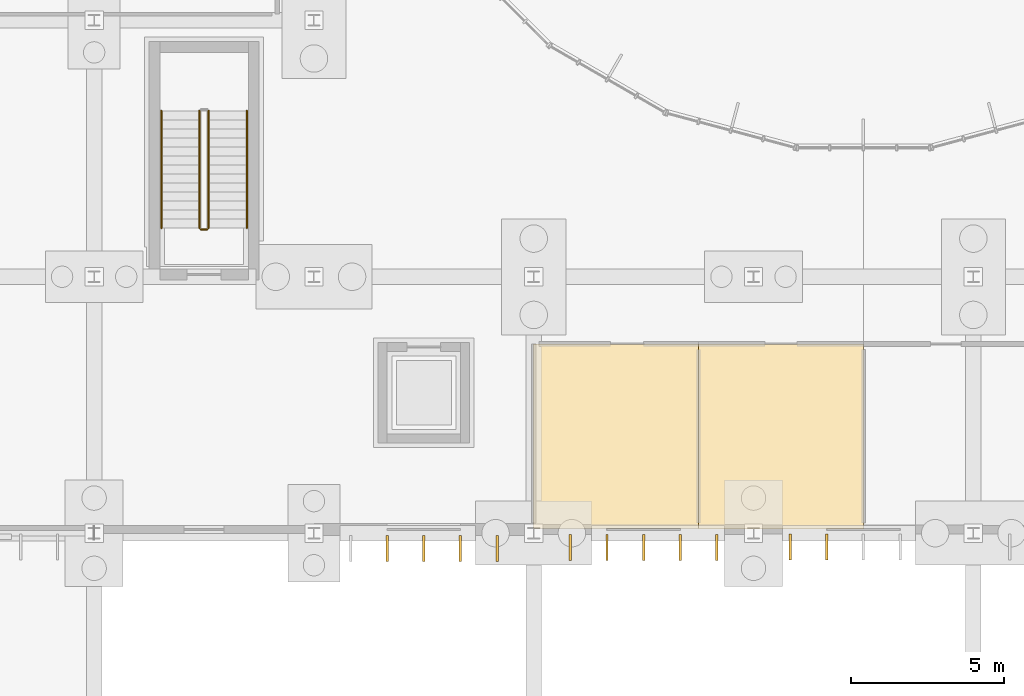
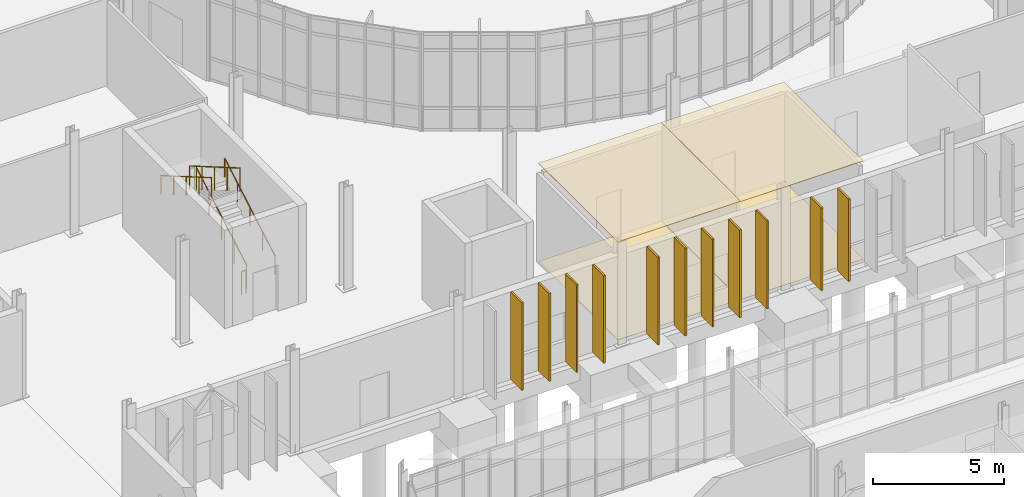
# One storey, part 105 of 118: 11 shading devices, 5 railings, 4 coverings.
"""IFC4 building model written with IfcOpenShell, lengths in metres."""

from ifc_helpers import new_model, si_unit, direction, frame, origin, origin_2d, place, context, subcontext, project, spatial, polyline, rectangle, circle, outline, extrude, material, layer, layer_set, type_object, element, save


model = new_model("IFC4")

# Units and contexts
model_context = context("Model", 3, precision=1e-05, world=origin(), true_north=direction((0.0, 1.0)))
body_context = subcontext(model_context, "Body", "Model", "MODEL_VIEW")
ifc_project = project(units=[si_unit("LENGTHUNIT", "METRE"), si_unit("AREAUNIT", "SQUARE_METRE"), si_unit("VOLUMEUNIT", "CUBIC_METRE"), si_unit("PLANEANGLEUNIT", "RADIAN"), si_unit("MASSUNIT", "GRAM", prefix="KILO")], contexts=[model_context])

# Site, building, storey
site_placement = place(None, origin())
site = spatial("IfcSite", under=ifc_project, at=site_placement, CompositionType="ELEMENT")
building_placement = place(site_placement, origin())
building = spatial("IfcBuilding", under=site, at=building_placement, Name="Qelthora Terrace Specialist Clinic", CompositionType="ELEMENT")
storey_placement = place(building_placement, origin())
storey = spatial("IfcBuildingStorey", under=building, at=storey_placement, Name="L00", CompositionType="ELEMENT", Elevation=0.0)

# Coverings
ifc_material_1 = material(Name="Hygienic mineral-fibre acoustic ceiling", Category="gypsum")
ifc_layer_1 = layer(ifc_material_1, 0.02490234375)
ifc_layer_set_1 = layer_set([ifc_layer_1], Name="Hygienic mineral-fibre acoustic ceiling")
covering_type_1 = type_object("IfcCoveringType", Name="COV-CEIL-ACU-25", PredefinedType="CEILING", material=ifc_layer_set_1)
covering_1_placement = place(storey_placement, frame((0.0, 0.0, 4.554931640625)))
element("IfcCovering", 1, at=covering_1_placement, inside=storey, type_object=covering_type_1, Name="Internal Medicine Consulting L00-31 acoustic ceiling", PredefinedType="CEILING", context=body_context, shape_type="SweptSolid", body=[
    extrude(outline(polyline([(115.199951171875, 33.75), (115.199951171875, 39.800048828125), (120.60009765625, 39.800048828125), (120.60009765625, 33.75), (115.199951171875, 33.75)])), origin(), (0.0, 0.0, 1.0), 0.025146484375),
])
covering_2_placement = place(storey_placement, frame((0.0, 0.0, 4.554931640625)))
element("IfcCovering", 2, at=covering_2_placement, inside=storey, type_object=covering_type_1, Name="Cardiology Examination Room L00-33 acoustic ceiling", PredefinedType="CEILING", context=body_context, shape_type="SweptSolid", body=[
    extrude(outline(polyline([(120.60498046875, 39.800048828125), (126.0, 39.800048828125), (126.0, 33.72998046875), (120.60498046875, 33.72998046875), (120.60498046875, 39.800048828125)])), origin(), (0.0, 0.0, 1.0), 0.025146484375),
])
ifc_material_2 = material(Name="Antimicrobial clinical linoleum flooring", Category="other")
ifc_layer_2 = layer(ifc_material_2, 0.011962890625)
ifc_layer_set_2 = layer_set([ifc_layer_2], Name="Antimicrobial clinical linoleum flooring")
covering_type_2 = type_object("IfcCoveringType", Name="COV-FLR-LINO-12", PredefinedType="FLOORING", material=ifc_layer_set_2)
covering_3_placement = place(storey_placement, origin())
element("IfcCovering", 3, at=covering_3_placement, inside=storey, type_object=covering_type_2, Name="Internal Medicine Consulting L00-31 resilient linoleum flooring", PredefinedType="FLOORING", context=body_context, shape_type="SweptSolid", body=[
    extrude(outline(polyline([(115.199951171875, 33.75), (115.199951171875, 39.800048828125), (120.60009765625, 39.800048828125), (120.60009765625, 33.75), (115.199951171875, 33.75)])), origin(), (0.0, 0.0, 1.0), 0.011962890625),
])
covering_4_placement = place(storey_placement, origin())
element("IfcCovering", 4, at=covering_4_placement, inside=storey, type_object=covering_type_2, Name="Cardiology Examination Room L00-33 resilient linoleum flooring", PredefinedType="FLOORING", context=body_context, shape_type="SweptSolid", body=[
    extrude(outline(polyline([(120.60498046875, 39.800048828125), (126.0, 39.800048828125), (126.0, 33.72998046875), (120.60498046875, 33.72998046875), (120.60498046875, 39.800048828125)])), origin(), (0.0, 0.0, 1.0), 0.011962890625),
])

# Railings
ifc_material_3 = material(Name="Steel S355", Category="steel")
railing_type_1 = type_object("IfcRailingType", Name="RAL-GD-1100-S355", PredefinedType="GUARDRAIL", material=ifc_material_3)
railing_1_placement = place(storey_placement, frame((104.550048828125, 43.60009765625, 0.17138671875)))
element("IfcRailing", 5, at=railing_1_placement, inside=storey, type_object=railing_type_1, Name="L00 ST-05 stair guard 1", PredefinedType="GUARDRAIL", context=body_context, shape_type="SweptSolid", body=[
    extrude(circle(Radius=0.02392578125, at=origin_2d()), frame((0.0, 0.0, 1.076171875), z_axis=(0.0, 0.86461618451, 0.502432934314), x_axis=(-1.0, 0.0, 0.0)), (0.0, 0.0, 1.0), 4.435546875),
    extrude(circle(Radius=0.02099609375, at=origin_2d()), origin(), (0.0, 0.0, 1.0), 1.052001953125),
    extrude(circle(Radius=0.02099609375, at=origin_2d()), frame((0.0, 0.958740234375, 0.55712890625)), (0.0, 0.0, 1.0), 1.052001953125),
    extrude(circle(Radius=0.02099609375, at=origin_2d()), frame((0.0, 1.91748046875, 1.1142578125)), (0.0, 0.0, 1.0), 1.052001953125),
    extrude(circle(Radius=0.02099609375, at=origin_2d()), frame((0.0, 2.876220703125, 1.67138671875)), (0.0, 0.0, 1.0), 1.052001953125),
    extrude(circle(Radius=0.02099609375, at=origin_2d()), frame((0.0, 3.8349609375, 2.228515625)), (0.0, 0.0, 1.0), 1.052001953125),
])
railing_2_placement = place(storey_placement, frame((104.25, 47.43505859375, 2.571533203125)))
element("IfcRailing", 6, at=railing_2_placement, inside=storey, type_object=railing_type_1, Name="L00 ST-05 stair guard 3", PredefinedType="GUARDRAIL", context=body_context, shape_type="SweptSolid", body=[
    extrude(circle(Radius=0.02392578125, at=origin_2d()), frame((0.0, 0.0, 1.076171875), z_axis=(0.0, -0.86461618451, 0.502432934314), x_axis=(1.0, 0.0, 0.0)), (0.0, 0.0, 1.0), 4.435546875),
    extrude(circle(Radius=0.02099609375, at=origin_2d()), origin(), (0.0, 0.0, 1.0), 1.052001953125),
    extrude(circle(Radius=0.02099609375, at=origin_2d()), frame((0.0, -0.958740234375, 0.55712890625)), (0.0, 0.0, 1.0), 1.052001953125),
    extrude(circle(Radius=0.02099609375, at=origin_2d()), frame((0.0, -1.91748046875, 1.1142578125)), (0.0, 0.0, 1.0), 1.052001953125),
    extrude(circle(Radius=0.02099609375, at=origin_2d()), frame((0.0, -2.876220703125, 1.67138671875)), (0.0, 0.0, 1.0), 1.052001953125),
    extrude(circle(Radius=0.02099609375, at=origin_2d()), frame((0.0, -3.8349609375, 2.228515625)), (0.0, 0.0, 1.0), 1.052001953125),
])
railing_3_placement = place(storey_placement, frame((104.5, 43.550048828125, 0.0)))
element("IfcRailing", 7, at=railing_3_placement, inside=storey, type_object=railing_type_1, Name="L00 ST-05 stair guard 4", PredefinedType="GUARDRAIL", context=body_context, shape_type="SweptSolid", body=[
    extrude(circle(Radius=0.02392578125, at=origin_2d()), frame((0.0, 0.0, 1.076171875), z_axis=(-1.0, 0.0, 0.0), x_axis=(0.0, -1.0, 0.0)), (0.0, 0.0, 1.0), 0.199951171875),
    extrude(circle(Radius=0.02099609375, at=origin_2d()), origin(), (0.0, 0.0, 1.0), 1.052001953125),
    extrude(circle(Radius=0.02099609375, at=origin_2d()), frame((-0.199951171875, 0.0, 0.0)), (0.0, 0.0, 1.0), 1.052001953125),
])
railing_type_2 = type_object("IfcRailingType", Name="RAL-HR-900-S355", PredefinedType="HANDRAIL", material=ifc_material_3)
railing_4_placement = place(storey_placement, frame((105.800048828125, 43.60009765625, 0.36083984375)))
element("IfcRailing", 8, at=railing_4_placement, inside=storey, type_object=railing_type_2, Name="L00 ST-05 stair handrail 1", PredefinedType="HANDRAIL", context=body_context, shape_type="SweptSolid", body=[
    extrude(circle(Radius=0.02392578125, at=origin_2d()), frame((0.0, 0.0, 0.8759765625), z_axis=(0.0, 0.86461618451, 0.502432934314), x_axis=(-1.0, 0.0, 0.0)), (0.0, 0.0, 1.0), 4.435546875),
    extrude(circle(Radius=0.02099609375, at=origin_2d()), origin(), (0.0, 0.0, 1.0), 0.851806640625),
    extrude(circle(Radius=0.02099609375, at=origin_2d()), frame((0.0, 0.958740234375, 0.55712890625)), (0.0, 0.0, 1.0), 0.851806640625),
    extrude(circle(Radius=0.02099609375, at=origin_2d()), frame((0.0, 1.91748046875, 1.1142578125)), (0.0, 0.0, 1.0), 0.851806640625),
    extrude(circle(Radius=0.02099609375, at=origin_2d()), frame((0.0, 2.876220703125, 1.67138671875)), (0.0, 0.0, 1.0), 0.851806640625),
    extrude(circle(Radius=0.02099609375, at=origin_2d()), frame((0.0, 3.8349609375, 2.228515625)), (0.0, 0.0, 1.0), 0.851806640625),
])
railing_5_placement = place(storey_placement, frame((103.0, 47.43505859375, 2.7607421875)))
element("IfcRailing", 9, at=railing_5_placement, inside=storey, type_object=railing_type_2, Name="L00 ST-05 stair handrail 2", PredefinedType="HANDRAIL", context=body_context, shape_type="SweptSolid", body=[
    extrude(circle(Radius=0.02392578125, at=origin_2d()), frame((0.0, 0.0, 0.8759765625), z_axis=(0.0, -0.864592272851, 0.502474080651), x_axis=(1.0, 0.0, 0.0)), (0.0, 0.0, 1.0), 4.435546875),
    extrude(circle(Radius=0.02099609375, at=origin_2d()), origin(), (0.0, 0.0, 1.0), 0.851806640625),
    extrude(circle(Radius=0.02099609375, at=origin_2d()), frame((0.0, -0.958740234375, 0.55712890625)), (0.0, 0.0, 1.0), 0.851806640625),
    extrude(circle(Radius=0.02099609375, at=origin_2d()), frame((0.0, -1.91748046875, 1.1142578125)), (0.0, 0.0, 1.0), 0.851806640625),
    extrude(circle(Radius=0.02099609375, at=origin_2d()), frame((0.0, -2.876220703125, 1.671630859375)), (0.0, 0.0, 1.0), 0.851806640625),
    extrude(circle(Radius=0.02099609375, at=origin_2d()), frame((0.0, -3.8349609375, 2.228759765625)), (0.0, 0.0, 1.0), 0.851806640625),
])

# Shading devices
ifc_material_4 = material(Name="Glulam timber GL28h", Category="wood")
shading_device_type = type_object("IfcShadingDeviceType", Name="SHD-FIN-850", PredefinedType="USERDEFINED", material=ifc_material_4)
for number, where, z_axis, x_axis, name in (
    (10, (110.39990234375, 33.10498046875, 0.0), (0.0, 0.0, 1.0), (0.0, -1.0, 0.0), "Exterior solar shading fin FIN-0370"),
    (11, (111.60009765625, 33.10498046875, 0.0), (0.0, 0.0, 1.0), (0.0, -1.0, 0.0), "Exterior solar shading fin FIN-0371"),
    (12, (112.800048828125, 33.10498046875, 0.0), (0.0, 0.0, 1.0), (0.0, -1.0, 0.0), "Exterior solar shading fin FIN-0372"),
    (13, (114.0, 33.10498046875, 0.0), (0.0, 0.0, 1.0), (0.0, -1.0, 0.0), "Exterior solar shading fin FIN-0373"),
    (14, (116.39990234375, 33.135009765625, 0.0), (0.0, 0.0, 1.0), (0.0, -1.0, 0.0), "Exterior solar shading fin FIN-0374"),
    (15, (117.60009765625, 33.135009765625, 0.0), (0.0, 0.0, 1.0), (0.0, -1.0, 0.0), "Exterior solar shading fin FIN-0375"),
    (16, (118.800048828125, 33.135009765625, 0.0), (0.0, 0.0, 1.0), (0.0, -1.0, 0.0), "Exterior solar shading fin FIN-0376"),
    (17, (120.0, 33.135009765625, 0.0), (0.0, 0.0, 1.0), (0.0, -1.0, 0.0), "Exterior solar shading fin FIN-0377"),
    (18, (121.199951171875, 33.135009765625, 0.0), (0.0, 0.0, 1.0), (0.0, -1.0, 0.0), "Exterior solar shading fin FIN-0378"),
):
    element("IfcShadingDevice", number, at=place(storey_placement, frame(where, z_axis=z_axis, x_axis=x_axis)), inside=storey, type_object=shading_device_type, Name=name, ObjectType="FIN", PredefinedType="USERDEFINED", context=body_context, shape_type="SweptSolid", body=[
        extrude(rectangle(XDim=0.85009765625, YDim=0.080078125, at=origin_2d()), origin(), (0.0, 0.0, 1.0), 4.08203125),
    ])
for number, where, z_axis, x_axis, name in (
    (19, (123.60009765625, 33.14501953125, 0.0), (0.0, 0.0, 1.0), (0.0, -1.0, 0.0), "Exterior solar shading fin FIN-0379"),
    (20, (124.800048828125, 33.14501953125, 0.0), (0.0, 0.0, 1.0), (0.0, -1.0, 0.0), "Exterior solar shading fin FIN-0380"),
):
    element("IfcShadingDevice", number, at=place(storey_placement, frame(where, z_axis=z_axis, x_axis=x_axis)), inside=storey, type_object=shading_device_type, Name=name, ObjectType="FIN", PredefinedType="USERDEFINED", context=body_context, shape_type="SweptSolid", body=[
        extrude(rectangle(XDim=0.85009765625, YDim=0.080078125, at=origin_2d()), origin(), (0.0, 0.0, 1.0), 3.84912109375),
    ])

save(model, "model.ifc")
